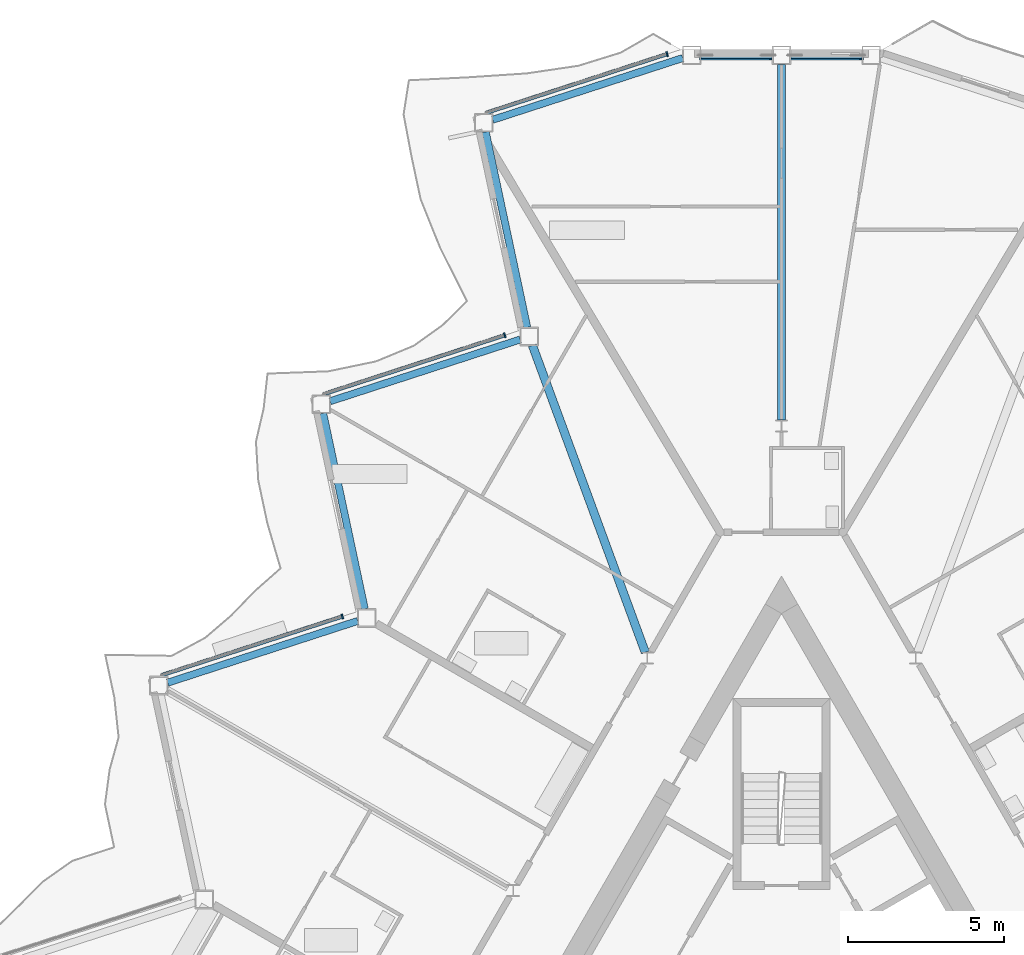
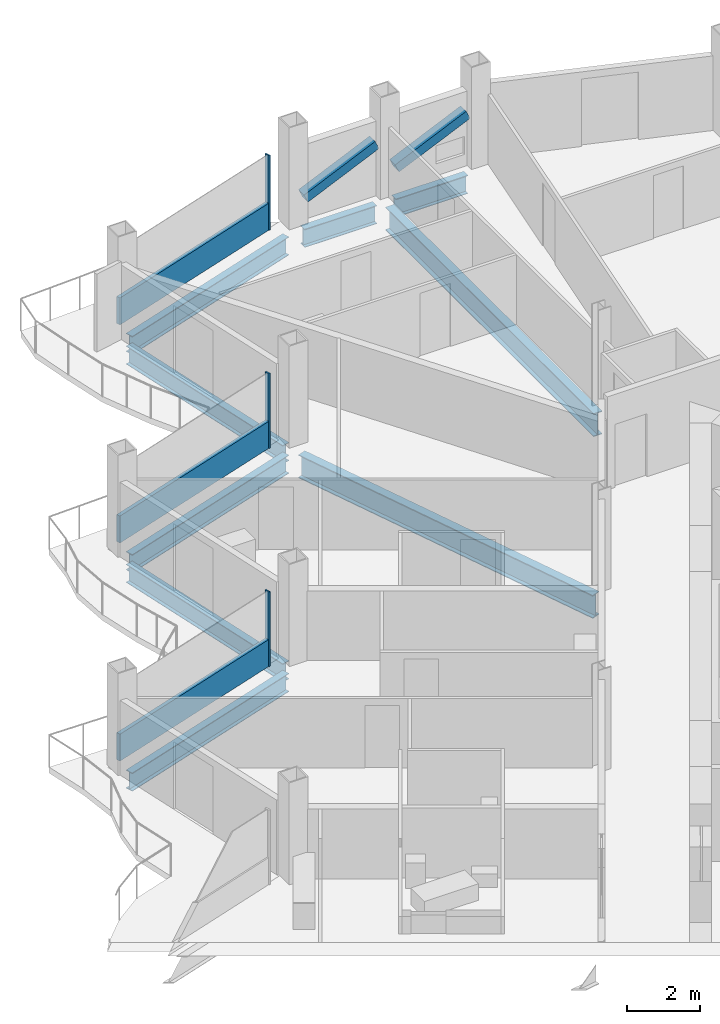
# One storey, part 10 of 26: 9 beams, 8 members, 3 elements without a shape of their own.
"""IFC4 building model written with IfcOpenShell, lengths in metres."""

from ifc_helpers import new_model, si_unit, direction, frame, origin, origin_2d, place, context, subcontext, project, spatial, rectangle, hollow_rectangle, i_section, extrude, material, layer, layer_set, material_profile, profile_set, type_object, element, aggregate, save


model = new_model("IFC4")

# Units and contexts
model_context = context("Model", 3, precision=1e-05, world=origin(), true_north=direction((0.0, 1.0)))
body_context = subcontext(model_context, "Body", "Model", "MODEL_VIEW")
ifc_project = project(units=[si_unit("LENGTHUNIT", "METRE"), si_unit("AREAUNIT", "SQUARE_METRE"), si_unit("VOLUMEUNIT", "CUBIC_METRE"), si_unit("PLANEANGLEUNIT", "RADIAN"), si_unit("MASSUNIT", "GRAM", prefix="KILO")], contexts=[model_context])

# Site, building, storey
site_placement = place(None, origin())
site = spatial("IfcSite", under=ifc_project, at=site_placement, CompositionType="ELEMENT")
building_placement = place(site_placement, origin())
building = spatial("IfcBuilding", under=site, at=building_placement, Name="Cormorant Prow Tower", CompositionType="ELEMENT")
storey_placement = place(building_placement, frame((0.0, 0.0, 322.199951171875)))
storey = spatial("IfcBuildingStorey", under=building, at=storey_placement, Name="L71", CompositionType="ELEMENT", Elevation=322.199951171875)

# Members
ifc_material_1 = material(Name="Structural steel ASTM A500 Gr C", Category="steel")
ifc_material_profile_1 = material_profile(ifc_material_1, hollow_rectangle(XDim=0.3046875, YDim=0.3046875, WallThickness=0.01171875, at=origin_2d()), Name="HSS12x12x1/2")
ifc_profile_set_1 = profile_set([ifc_material_profile_1], Name="Structural steel ASTM A500 Gr C")
member_type_1 = type_object("IfcMemberType", Name="Chamfer brace HSS12x12x1/2", PredefinedType="BRACE", material=ifc_profile_set_1)
for number, where, z_axis, x_axis, name in (
    (1, (0.31494140625, 31.676025390625, 0.7412109375), (0.91256681832, 0.0, 0.408927624528), (0.0, 1.0, 0.0), "Chamfer brace BR3 at N00 L71"),
    (2, (-2.55908203125, 31.676025390625, 0.7412109375), (0.91256681832, 0.0, 0.408927624528), (0.0, 1.0, 0.0), "Chamfer brace BR3 at N01 L71"),
):
    element("IfcMember", number, at=place(storey_placement, frame(where, z_axis=z_axis, x_axis=x_axis)), inside=storey, type_object=member_type_1, Name=name, PredefinedType="BRACE", context=body_context, shape_type="SweptSolid", body=[
        extrude(hollow_rectangle(XDim=0.3046875, YDim=0.3046875, WallThickness=0.01171875, at=origin_2d()), origin(), (0.0, 0.0, 1.0), 2.459228515625),
    ])

# Beams
ifc_material_2 = material(Name="Structural steel ASTM A992 Gr 50", Category="steel")
ifc_material_profile_2 = material_profile(ifc_material_2, i_section(OverallWidth=0.267822265625, OverallDepth=0.77001953125, WebThickness=0.015625, FlangeThickness=0.025390625, at=origin_2d()), Name="W30x132")
ifc_profile_set_2 = profile_set([ifc_material_profile_2], Name="Structural steel ASTM A992 Gr 50")
beam_type_1 = type_object("IfcBeamType", Name="Radial floor beam W30x132", PredefinedType="BEAM", material=ifc_profile_set_2)
beam_1_placement = place(storey_placement, frame((0.0, 20.0087890625, -0.684814453125), z_axis=(0.0, 1.0, 0.0), x_axis=(-1.0, 0.0, 0.0)))
element("IfcBeam", 3, at=beam_1_placement, inside=storey, type_object=beam_type_1, Name="Radial floor beam FB3 1 L71", PredefinedType="BEAM", context=body_context, shape_type="SweptSolid", body=[
    extrude(i_section(OverallWidth=0.267822265625, OverallDepth=0.77001953125, WebThickness=0.015625, FlangeThickness=0.025390625, at=origin_2d()), origin(), (0.0, 0.0, 1.0), 11.3671875),
])
beam_2_placement = place(storey_placement, frame((-4.357421875, 12.5673828125, -0.684814453125), z_axis=(-0.345131226703, 0.938554439739, 0.0), x_axis=(-0.938554439739, -0.345131226703, 0.0)))
element("IfcBeam", 4, at=beam_2_placement, inside=storey, type_object=beam_type_1, Name="Radial floor beam FB3 2 L71", PredefinedType="BEAM", context=body_context, shape_type="SweptSolid", body=[
    extrude(i_section(OverallWidth=0.267822265625, OverallDepth=0.77001953125, WebThickness=0.015625, FlangeThickness=0.025390625, at=origin_2d()), origin(), (0.0, 0.0, 1.0), 10.465087890625),
])

# Curtain wall, member
ifc_material_3 = material(Name="Aluminium 6063-T6", Category="aluminium")
ifc_layer = layer(ifc_material_3, 0.159912109375)
ifc_layer_set = layer_set([ifc_layer], Name="Aluminium 6063-T6")
curtain_wall_type = type_object("IfcCurtainWallType", Name="Residential unitised curtain wall 160", PredefinedType="NOTDEFINED", material=ifc_layer_set)
curtain_wall_1_placement = place(storey_placement, origin())
curtain_wall_1 = element("IfcCurtainWall", 5, at=curtain_wall_1_placement, inside=storey, type_object=curtain_wall_type, Name="Residential curtain wall WNW00", PredefinedType="NOTDEFINED")
ifc_material_4 = material(Name="Aluminium 6063-T6", Category="aluminium")
ifc_material_profile_3 = material_profile(ifc_material_4, rectangle(XDim=0.159912109375, YDim=0.050048828125, at=origin_2d()), Name="Residential mullion 50x160")
ifc_profile_set_3 = profile_set([ifc_material_profile_3], Name="Aluminium 6063-T6")
member_type_2 = type_object("IfcMemberType", Name="Residential mullion 50x160", PredefinedType="MULLION", material=ifc_profile_set_3)
member_1_placement = place(storey_placement, frame((-3.66015625, 31.7109375, 0.0), z_axis=(0.0, 0.0, 1.0), x_axis=(0.309016892523, -0.951056549389, 0.0)))
member_1 = element("IfcMember", 6, at=member_1_placement, type_object=member_type_2, Name="Residential mullion WNW00", PredefinedType="MULLION", context=body_context, shape_type="SweptSolid", body=[
    extrude(rectangle(XDim=0.159912109375, YDim=0.050048828125, at=origin_2d()), origin(), (0.0, 0.0, 1.0), 2.488037109375),
])

curtain_wall_2_placement = place(storey_placement, origin())
curtain_wall_2 = element("IfcCurtainWall", 7, at=curtain_wall_2_placement, inside=storey, type_object=curtain_wall_type, Name="Residential curtain wall WNW02", PredefinedType="NOTDEFINED")
member_2_placement = place(storey_placement, frame((-8.854736328125, 22.71337890625, 0.0), z_axis=(0.0, 0.0, 1.0), x_axis=(0.309016892523, -0.951056549389, 0.0)))
member_2 = element("IfcMember", 8, at=member_2_placement, type_object=member_type_2, Name="Residential mullion WNW02", PredefinedType="MULLION", context=body_context, shape_type="SweptSolid", body=[
    extrude(rectangle(XDim=0.159912109375, YDim=0.050048828125, at=origin_2d()), origin(), (0.0, 0.0, 1.0), 2.488037109375),
])

curtain_wall_3_placement = place(storey_placement, origin())
curtain_wall_3 = element("IfcCurtainWall", 9, at=curtain_wall_3_placement, inside=storey, type_object=curtain_wall_type, Name="Residential curtain wall WNW04", PredefinedType="NOTDEFINED")
member_3_placement = place(storey_placement, frame((-14.049560546875, 13.716064453125, 0.0), z_axis=(0.0, 0.0, 1.0), x_axis=(0.309017021913, -0.951056507348, 0.0)))
member_3 = element("IfcMember", 10, at=member_3_placement, type_object=member_type_2, Name="Residential mullion WNW04", PredefinedType="MULLION", context=body_context, shape_type="SweptSolid", body=[
    extrude(rectangle(XDim=0.159912109375, YDim=0.050048828125, at=origin_2d()), origin(), (0.0, 0.0, 1.0), 2.488037109375),
])

# Member
ifc_material_5 = material(Name="Terracotta", Category="masonry")
ifc_material_profile_4 = material_profile(ifc_material_5, rectangle(XDim=0.1201171875, YDim=0.89990234375, at=origin_2d()), Name="Residential terracotta spandrel rail 120x900")
ifc_profile_set_4 = profile_set([ifc_material_profile_4], Name="Terracotta")
member_type_3 = type_object("IfcMemberType", Name="Residential terracotta spandrel rail 120x900", PredefinedType="USERDEFINED", material=ifc_profile_set_4)
member_4_placement = place(storey_placement, frame((-3.683837890625, 31.703125, 0.449951171875), z_axis=(-0.951068041312, -0.30898152177, 0.0), x_axis=(0.30898152177, -0.951068041312, 0.0)))
member_4 = element("IfcMember", 11, at=member_4_placement, type_object=member_type_3, Name="Residential spandrel rail WNW00", ObjectType="TRANSOM", PredefinedType="USERDEFINED", context=body_context, shape_type="SweptSolid", body=[
    extrude(rectangle(XDim=0.1201171875, YDim=0.89990234375, at=origin_2d()), origin(), (0.0, 0.0, 1.0), 6.072265625),
])

aggregate(curtain_wall_1, [member_1, member_4])

member_5_placement = place(storey_placement, frame((-8.878662109375, 22.705810546875, 0.449951171875), z_axis=(-0.951052386284, -0.309029704954, 0.0), x_axis=(0.309029704954, -0.951052386284, 0.0)))
member_5 = element("IfcMember", 12, at=member_5_placement, type_object=member_type_3, Name="Residential spandrel rail WNW02", ObjectType="TRANSOM", PredefinedType="USERDEFINED", context=body_context, shape_type="SweptSolid", body=[
    extrude(rectangle(XDim=0.1201171875, YDim=0.89990234375, at=origin_2d()), origin(), (0.0, 0.0, 1.0), 6.072021484375),
])

aggregate(curtain_wall_2, [member_2, member_5])

member_6_placement = place(storey_placement, frame((-14.0732421875, 13.708251953125, 0.449951171875), z_axis=(-0.95105622579, -0.309017888456, 0.0), x_axis=(0.309017888456, -0.95105622579, 0.0)))
member_6 = element("IfcMember", 13, at=member_6_placement, type_object=member_type_3, Name="Residential spandrel rail WNW04", ObjectType="TRANSOM", PredefinedType="USERDEFINED", context=body_context, shape_type="SweptSolid", body=[
    extrude(rectangle(XDim=0.1201171875, YDim=0.89990234375, at=origin_2d()), origin(), (0.0, 0.0, 1.0), 6.072265625),
])

aggregate(curtain_wall_3, [member_3, member_6])

# Beams
ifc_material_6 = material(Name="Structural steel ASTM A992 Gr 50", Category="steel")
ifc_material_profile_5 = material_profile(ifc_material_6, i_section(OverallWidth=0.22900390625, OverallDepth=0.612060546875, WebThickness=0.011962890625, FlangeThickness=0.01953125, at=origin_2d()), Name="W24x84")
ifc_profile_set_5 = profile_set([ifc_material_profile_5], Name="Structural steel ASTM A992 Gr 50")
beam_type_2 = type_object("IfcBeamType", Name="Spandrel beam W24x84", PredefinedType="SPANDREL", material=ifc_profile_set_5)
for number, where, z_axis, x_axis, name in (
    (14, (2.57373046875, 31.676025390625, -0.60595703125), (-1.0, 0.0, 0.0), (0.0, -1.0, 0.0), "Spandrel beam SB3 N00-N01 L71"),
    (15, (-0.300048828125, 31.676025390625, -0.60595703125), (-1.0, 0.0, 0.0), (0.0, -1.0, 0.0), "Spandrel beam SB3 N01-WNW00 L71"),
):
    element("IfcBeam", number, at=place(storey_placement, frame(where, z_axis=z_axis, x_axis=x_axis)), inside=storey, type_object=beam_type_2, Name=name, PredefinedType="SPANDREL", context=body_context, shape_type="SweptSolid", body=[
        extrude(i_section(OverallWidth=0.22900390625, OverallDepth=0.612060546875, WebThickness=0.011962890625, FlangeThickness=0.01953125, at=origin_2d()), origin(), (0.0, 0.0, 1.0), 2.273681640625),
    ])
beam_3_placement = place(storey_placement, frame((-3.1591796875, 31.583251953125, -0.60595703125), z_axis=(-0.951064359156, -0.308992855489, 0.0), x_axis=(0.308992855489, -0.951064359156, 0.0)))
element("IfcBeam", 16, at=beam_3_placement, inside=storey, type_object=beam_type_2, Name="Spandrel beam SB3 WNW00-WNW01 L71", PredefinedType="SPANDREL", context=body_context, shape_type="SweptSolid", body=[
    extrude(i_section(OverallWidth=0.22900390625, OverallDepth=0.612060546875, WebThickness=0.011962890625, FlangeThickness=0.01953125, at=origin_2d()), origin(), (0.0, 0.0, 1.0), 6.39599609375),
])
beam_4_placement = place(storey_placement, frame((-9.465087890625, 29.220703125, -0.60595703125), z_axis=(0.20791262393, -0.978147402394, 0.0), x_axis=(0.978147402394, 0.20791262393, 0.0)))
element("IfcBeam", 17, at=beam_4_placement, inside=storey, type_object=beam_type_2, Name="Spandrel beam SB3 WNW01-WNW02 L71", PredefinedType="SPANDREL", context=body_context, shape_type="SweptSolid", body=[
    extrude(i_section(OverallWidth=0.22900390625, OverallDepth=0.612060546875, WebThickness=0.011962890625, FlangeThickness=0.01953125, at=origin_2d()), origin(), (0.0, 0.0, 1.0), 6.396240234375),
])
for number, where, z_axis, x_axis, name in (
    (18, (-8.358154296875, 22.578369140625, -0.60595703125), (-0.95105314132, -0.309027381286, 0.0), (0.309027381286, -0.95105314132, 0.0), "Spandrel beam SB3 WNW02-WNW03 L71"),
    (19, (-14.6640625, 20.215576171875, -0.60595703125), (0.207920386839, -0.978145752297, 0.0), (0.978145752297, 0.207920386839, 0.0), "Spandrel beam SB3 WNW03-WNW04 L71"),
    (20, (-13.557373046875, 13.5732421875, -0.60595703125), (-0.95105314132, -0.309027381286, 0.0), (0.309027381286, -0.95105314132, 0.0), "Spandrel beam SB3 WNW04-WNW05 L71"),
):
    element("IfcBeam", number, at=place(storey_placement, frame(where, z_axis=z_axis, x_axis=x_axis)), inside=storey, type_object=beam_type_2, Name=name, PredefinedType="SPANDREL", context=body_context, shape_type="SweptSolid", body=[
        extrude(i_section(OverallWidth=0.22900390625, OverallDepth=0.612060546875, WebThickness=0.011962890625, FlangeThickness=0.01953125, at=origin_2d()), origin(), (0.0, 0.0, 1.0), 6.39599609375),
    ])

save(model, "model.ifc")
